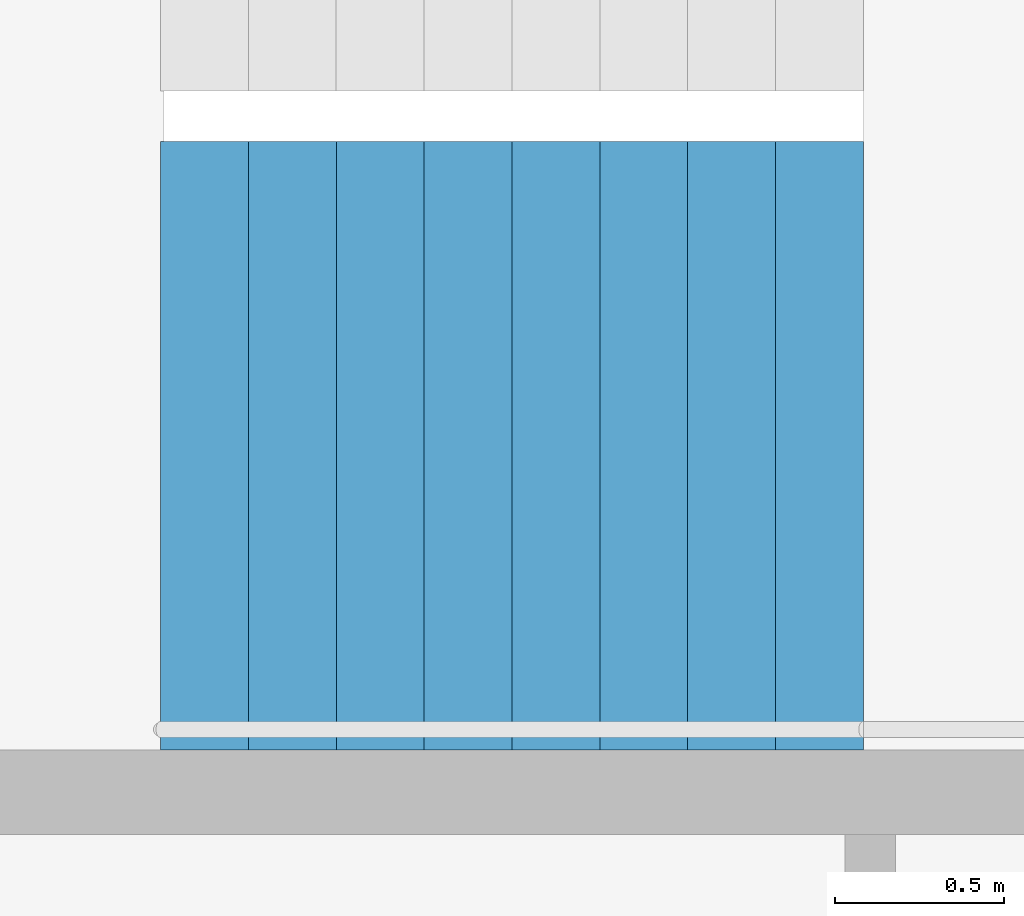
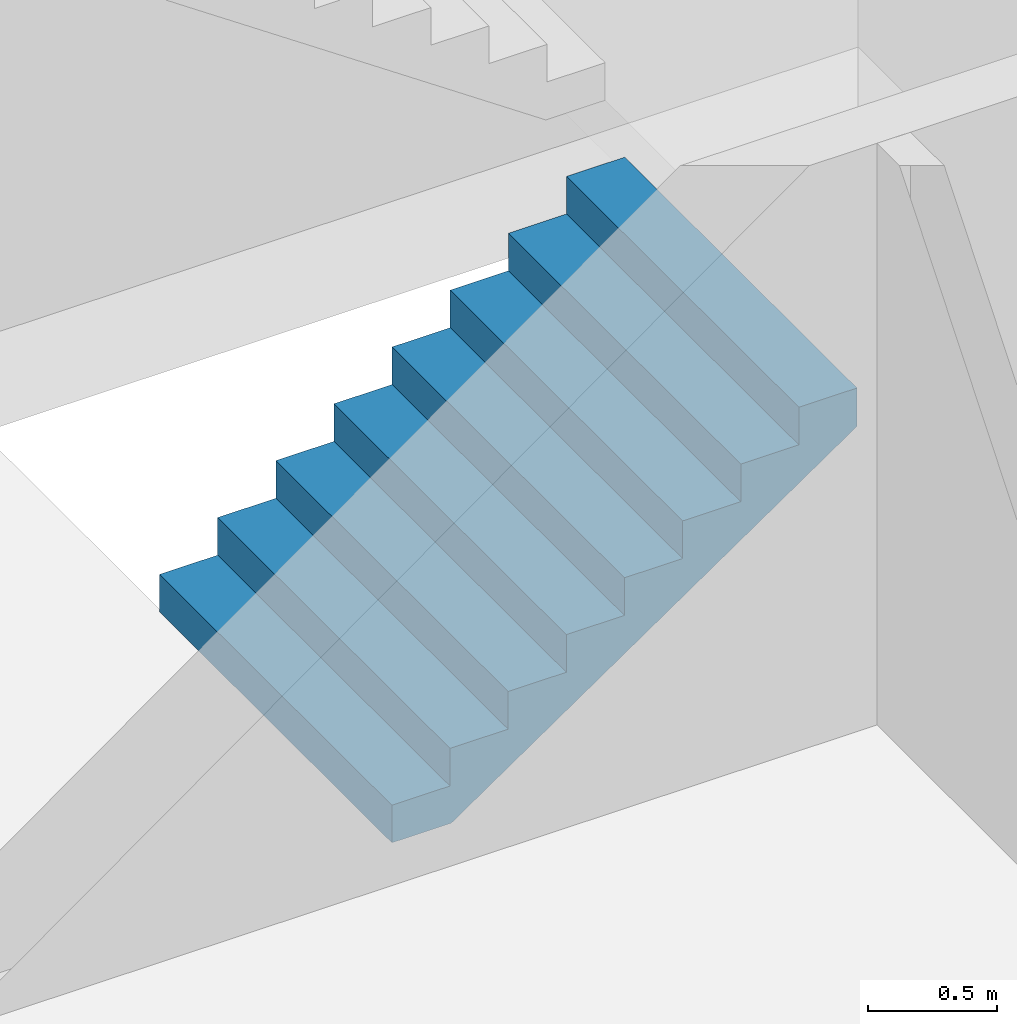
# One storey, part 20 of 26: 1 stair flight, 1 element without a shape of its own.
"""IFC4 building model written with IfcOpenShell, lengths in metres."""

from ifc_helpers import new_model, si_unit, direction, frame, origin, place, context, subcontext, project, spatial, triangles, material, type_object, element, aggregate, save


model = new_model("IFC4")

# Units and contexts
model_context = context("Model", 3, precision=1e-05, world=origin(), true_north=direction((0.0, 1.0)))
body_context = subcontext(model_context, "Body", "Model", "MODEL_VIEW")
ifc_project = project(units=[si_unit("LENGTHUNIT", "METRE"), si_unit("AREAUNIT", "SQUARE_METRE"), si_unit("VOLUMEUNIT", "CUBIC_METRE"), si_unit("PLANEANGLEUNIT", "RADIAN"), si_unit("MASSUNIT", "GRAM", prefix="KILO")], contexts=[model_context])

# Site, building, storey
site_placement = place(None, origin())
site = spatial("IfcSite", under=ifc_project, at=site_placement, CompositionType="ELEMENT")
building_placement = place(site_placement, origin())
building = spatial("IfcBuilding", under=site, at=building_placement, Name="Hakoniwa Tower and Hamabe Station Hall", CompositionType="ELEMENT")
storey_placement = place(building_placement, frame((0.0, 0.0, 156.60009765625)))
storey = spatial("IfcBuildingStorey", under=building, at=storey_placement, Name="L44", CompositionType="ELEMENT", Elevation=156.60009765625)

# Stair, stair flight
ifc_material_1 = material(Name="Concrete C40", Category="concrete")
stair_type = type_object("IfcStairType", Name="ESCAPE STAIR 1800", PredefinedType="HALF_TURN_STAIR", material=ifc_material_1)
stair_placement = place(storey_placement, origin())
stair = element("IfcStair", 1, at=stair_placement, inside=storey, type_object=stair_type, Name="Escape stair ST-1 L44", PredefinedType="HALF_TURN_STAIR")
ifc_material_2 = material(Name="Concrete C40", Category="concrete")
stair_flight_type = type_object("IfcStairFlightType", Name="STAIR FLIGHT 1800", PredefinedType="STRAIGHT", material=ifc_material_2)
stair_flight_placement = place(storey_placement, frame((-24.39990234375, 4.64990234375, 0.0), z_axis=(0.0, 0.0, 1.0), x_axis=(1.0, 0.0, 0.0)))
stair_flight = element("IfcStairFlight", 2, at=stair_flight_placement, type_object=stair_flight_type, Name="ST-1 flight 1", NumberOfRisers=9, NumberOfTreads=8, PredefinedType="STRAIGHT", RiserHeight=0.177777778, TreadLength=0.26, context=body_context, shape_type="Tessellation", body=[
    triangles([(0.0, 0.89990234375, 0.0), (0.260009765625, 0.89990234375, 0.0), (0.265625, 0.89990234375, 0.0), (0.52001953125, 0.89990234375, 0.174072265625), (0.780029296875, 0.89990234375, 0.351806640625), (1.0400390625, 0.89990234375, 0.529541015625), (1.300048828125, 0.89990234375, 0.707275390625), (1.56005859375, 0.89990234375, 0.885009765625), (1.820068359375, 0.89990234375, 1.062744140625), (2.080078125, 0.89990234375, 1.24072265625), (2.080078125, 0.89990234375, 1.422119140625), (1.820068359375, 0.89990234375, 1.422119140625), (1.820068359375, 0.89990234375, 1.244384765625), (1.56005859375, 0.89990234375, 1.244384765625), (1.56005859375, 0.89990234375, 1.066650390625), (1.300048828125, 0.89990234375, 1.066650390625), (1.300048828125, 0.89990234375, 0.888916015625), (1.0400390625, 0.89990234375, 0.888916015625), (1.0400390625, 0.89990234375, 0.711181640625), (0.780029296875, 0.89990234375, 0.711181640625), (0.780029296875, 0.89990234375, 0.533447265625), (0.52001953125, 0.89990234375, 0.533447265625), (0.52001953125, 0.89990234375, 0.35546875), (0.265625, 0.89990234375, 0.35546875), (0.260009765625, 0.89990234375, 0.35546875), (0.260009765625, 0.89990234375, 0.177734375), (0.0, 0.89990234375, 0.177734375), (0.0, 0.06005859375, 0.0), (0.260009765625, 0.06005859375, 0.0), (0.265625, 0.06005859375, 0.0), (0.52001953125, 0.06005859375, 0.174072265625), (0.780029296875, 0.06005859375, 0.351806640625), (1.0400390625, 0.06005859375, 0.529541015625), (1.300048828125, 0.06005859375, 0.707275390625), (1.56005859375, 0.06005859375, 0.885009765625), (1.820068359375, 0.06005859375, 1.062744140625), (2.080078125, 0.06005859375, 1.24072265625), (2.080078125, 0.06005859375, 1.422119140625), (1.820068359375, 0.06005859375, 1.422119140625), (1.820068359375, 0.06005859375, 1.244384765625), (1.56005859375, 0.06005859375, 1.244384765625), (1.56005859375, 0.06005859375, 1.066650390625), (1.300048828125, 0.06005859375, 1.066650390625), (1.300048828125, 0.06005859375, 0.888916015625), (1.0400390625, 0.06005859375, 0.888916015625), (1.0400390625, 0.06005859375, 0.711181640625), (0.780029296875, 0.06005859375, 0.711181640625), (0.780029296875, 0.06005859375, 0.533447265625), (0.52001953125, 0.06005859375, 0.533447265625), (0.52001953125, 0.06005859375, 0.35546875), (0.265625, 0.06005859375, 0.35546875), (0.260009765625, 0.06005859375, 0.35546875), (0.260009765625, 0.06005859375, 0.177734375), (0.0, 0.06005859375, 0.177734375), (0.0, 0.04296875, 0.0), (0.260009765625, 0.04296875, 0.0), (0.265625, 0.04296875, 0.0), (0.52001953125, 0.04296875, 0.174072265625), (0.780029296875, 0.04296875, 0.351806640625), (1.0400390625, 0.04296875, 0.529541015625), (1.300048828125, 0.04296875, 0.707275390625), (1.56005859375, 0.04296875, 0.885009765625), (1.820068359375, 0.04296875, 1.062744140625), (2.080078125, 0.04296875, 1.24072265625), (2.080078125, 0.04296875, 1.422119140625), (1.820068359375, 0.04296875, 1.422119140625), (1.820068359375, 0.04296875, 1.244384765625), (1.56005859375, 0.04296875, 1.244384765625), (1.56005859375, 0.04296875, 1.066650390625), (1.300048828125, 0.04296875, 1.066650390625), (1.300048828125, 0.04296875, 0.888916015625), (1.0400390625, 0.04296875, 0.888916015625), (1.0400390625, 0.04296875, 0.711181640625), (0.780029296875, 0.04296875, 0.711181640625), (0.780029296875, 0.04296875, 0.533447265625), (0.52001953125, 0.04296875, 0.533447265625), (0.52001953125, 0.04296875, 0.35546875), (0.265625, 0.04296875, 0.35546875), (0.260009765625, 0.04296875, 0.35546875), (0.260009765625, 0.04296875, 0.177734375), (0.0, 0.04296875, 0.177734375), (0.0, 0.025634765625, 0.0), (0.260009765625, 0.025634765625, 0.0), (0.265625, 0.025634765625, 0.0), (0.52001953125, 0.025634765625, 0.174072265625), (0.780029296875, 0.025634765625, 0.351806640625), (1.0400390625, 0.025634765625, 0.529541015625), (1.300048828125, 0.025634765625, 0.707275390625), (1.56005859375, 0.025634765625, 0.885009765625), (1.820068359375, 0.025634765625, 1.062744140625), (2.080078125, 0.025634765625, 1.24072265625), (2.080078125, 0.025634765625, 1.422119140625), (1.820068359375, 0.025634765625, 1.422119140625), (1.820068359375, 0.025634765625, 1.244384765625), (1.56005859375, 0.025634765625, 1.244384765625), (1.56005859375, 0.025634765625, 1.066650390625), (1.300048828125, 0.025634765625, 1.066650390625), (1.300048828125, 0.025634765625, 0.888916015625), (1.0400390625, 0.025634765625, 0.888916015625), (1.0400390625, 0.025634765625, 0.711181640625), (0.780029296875, 0.025634765625, 0.711181640625), (0.780029296875, 0.025634765625, 0.533447265625), (0.52001953125, 0.025634765625, 0.533447265625), (0.52001953125, 0.025634765625, 0.35546875), (0.265625, 0.025634765625, 0.35546875), (0.260009765625, 0.025634765625, 0.35546875), (0.260009765625, 0.025634765625, 0.177734375), (0.0, 0.025634765625, 0.177734375), (0.0, 0.008544921875, 0.0), (0.260009765625, 0.008544921875, 0.0), (0.265625, 0.008544921875, 0.0), (0.52001953125, 0.008544921875, 0.174072265625), (0.780029296875, 0.008544921875, 0.351806640625), (1.0400390625, 0.008544921875, 0.529541015625), (1.300048828125, 0.008544921875, 0.707275390625), (1.56005859375, 0.008544921875, 0.885009765625), (1.820068359375, 0.008544921875, 1.062744140625), (2.080078125, 0.008544921875, 1.24072265625), (2.080078125, 0.008544921875, 1.422119140625), (1.820068359375, 0.008544921875, 1.422119140625), (1.820068359375, 0.008544921875, 1.244384765625), (1.56005859375, 0.008544921875, 1.244384765625), (1.56005859375, 0.008544921875, 1.066650390625), (1.300048828125, 0.008544921875, 1.066650390625), (1.300048828125, 0.008544921875, 0.888916015625), (1.0400390625, 0.008544921875, 0.888916015625), (1.0400390625, 0.008544921875, 0.711181640625), (0.780029296875, 0.008544921875, 0.711181640625), (0.780029296875, 0.008544921875, 0.533447265625), (0.52001953125, 0.008544921875, 0.533447265625), (0.52001953125, 0.008544921875, 0.35546875), (0.265625, 0.008544921875, 0.35546875), (0.260009765625, 0.008544921875, 0.35546875), (0.260009765625, 0.008544921875, 0.177734375), (0.0, 0.008544921875, 0.177734375), (0.0, -0.008544921875, 0.0), (0.260009765625, -0.008544921875, 0.0), (0.265625, -0.008544921875, 0.0), (0.52001953125, -0.008544921875, 0.174072265625), (0.780029296875, -0.008544921875, 0.351806640625), (1.0400390625, -0.008544921875, 0.529541015625), (1.300048828125, -0.008544921875, 0.707275390625), (1.56005859375, -0.008544921875, 0.885009765625), (1.820068359375, -0.008544921875, 1.062744140625), (2.080078125, -0.008544921875, 1.24072265625), (2.080078125, -0.008544921875, 1.422119140625), (1.820068359375, -0.008544921875, 1.422119140625), (1.820068359375, -0.008544921875, 1.244384765625), (1.56005859375, -0.008544921875, 1.244384765625), (1.56005859375, -0.008544921875, 1.066650390625), (1.300048828125, -0.008544921875, 1.066650390625), (1.300048828125, -0.008544921875, 0.888916015625), (1.0400390625, -0.008544921875, 0.888916015625), (1.0400390625, -0.008544921875, 0.711181640625), (0.780029296875, -0.008544921875, 0.711181640625), (0.780029296875, -0.008544921875, 0.533447265625), (0.52001953125, -0.008544921875, 0.533447265625), (0.52001953125, -0.008544921875, 0.35546875), (0.265625, -0.008544921875, 0.35546875), (0.260009765625, -0.008544921875, 0.35546875), (0.260009765625, -0.008544921875, 0.177734375), (0.0, -0.008544921875, 0.177734375), (0.0, -0.025634765625, 0.0), (0.260009765625, -0.025634765625, 0.0), (0.265625, -0.025634765625, 0.0), (0.52001953125, -0.025634765625, 0.174072265625), (0.780029296875, -0.025634765625, 0.351806640625), (1.0400390625, -0.025634765625, 0.529541015625), (1.300048828125, -0.025634765625, 0.707275390625), (1.56005859375, -0.025634765625, 0.885009765625), (1.820068359375, -0.025634765625, 1.062744140625), (2.080078125, -0.025634765625, 1.24072265625), (2.080078125, -0.025634765625, 1.422119140625), (1.820068359375, -0.025634765625, 1.422119140625), (1.820068359375, -0.025634765625, 1.244384765625), (1.56005859375, -0.025634765625, 1.244384765625), (1.56005859375, -0.025634765625, 1.066650390625), (1.300048828125, -0.025634765625, 1.066650390625), (1.300048828125, -0.025634765625, 0.888916015625), (1.0400390625, -0.025634765625, 0.888916015625), (1.0400390625, -0.025634765625, 0.711181640625), (0.780029296875, -0.025634765625, 0.711181640625), (0.780029296875, -0.025634765625, 0.533447265625), (0.52001953125, -0.025634765625, 0.533447265625), (0.52001953125, -0.025634765625, 0.35546875), (0.265625, -0.025634765625, 0.35546875), (0.260009765625, -0.025634765625, 0.35546875), (0.260009765625, -0.025634765625, 0.177734375), (0.0, -0.025634765625, 0.177734375), (0.0, -0.04296875, 0.0), (0.260009765625, -0.04296875, 0.0), (0.265625, -0.04296875, 0.0), (0.52001953125, -0.04296875, 0.174072265625), (0.780029296875, -0.04296875, 0.351806640625), (1.0400390625, -0.04296875, 0.529541015625), (1.300048828125, -0.04296875, 0.707275390625), (1.56005859375, -0.04296875, 0.885009765625), (1.820068359375, -0.04296875, 1.062744140625), (2.080078125, -0.04296875, 1.24072265625), (2.080078125, -0.04296875, 1.422119140625), (1.820068359375, -0.04296875, 1.422119140625), (1.820068359375, -0.04296875, 1.244384765625), (1.56005859375, -0.04296875, 1.244384765625), (1.56005859375, -0.04296875, 1.066650390625), (1.300048828125, -0.04296875, 1.066650390625), (1.300048828125, -0.04296875, 0.888916015625), (1.0400390625, -0.04296875, 0.888916015625), (1.0400390625, -0.04296875, 0.711181640625), (0.780029296875, -0.04296875, 0.711181640625), (0.780029296875, -0.04296875, 0.533447265625), (0.52001953125, -0.04296875, 0.533447265625), (0.52001953125, -0.04296875, 0.35546875), (0.265625, -0.04296875, 0.35546875), (0.260009765625, -0.04296875, 0.35546875), (0.260009765625, -0.04296875, 0.177734375), (0.0, -0.04296875, 0.177734375), (0.0, -0.06005859375, 0.0), (0.260009765625, -0.06005859375, 0.0), (0.265625, -0.06005859375, 0.0), (0.52001953125, -0.06005859375, 0.174072265625), (0.780029296875, -0.06005859375, 0.351806640625), (1.0400390625, -0.06005859375, 0.529541015625), (1.300048828125, -0.06005859375, 0.707275390625), (1.56005859375, -0.06005859375, 0.885009765625), (1.820068359375, -0.06005859375, 1.062744140625), (2.080078125, -0.06005859375, 1.24072265625), (2.080078125, -0.06005859375, 1.422119140625), (1.820068359375, -0.06005859375, 1.422119140625), (1.820068359375, -0.06005859375, 1.244384765625), (1.56005859375, -0.06005859375, 1.244384765625), (1.56005859375, -0.06005859375, 1.066650390625), (1.300048828125, -0.06005859375, 1.066650390625), (1.300048828125, -0.06005859375, 0.888916015625), (1.0400390625, -0.06005859375, 0.888916015625), (1.0400390625, -0.06005859375, 0.711181640625), (0.780029296875, -0.06005859375, 0.711181640625), (0.780029296875, -0.06005859375, 0.533447265625), (0.52001953125, -0.06005859375, 0.533447265625), (0.52001953125, -0.06005859375, 0.35546875), (0.265625, -0.06005859375, 0.35546875), (0.260009765625, -0.06005859375, 0.35546875), (0.260009765625, -0.06005859375, 0.177734375), (0.0, -0.06005859375, 0.177734375), (0.0, -0.89990234375, 0.0), (0.260009765625, -0.89990234375, 0.0), (0.265625, -0.89990234375, 0.0), (0.52001953125, -0.89990234375, 0.174072265625), (0.780029296875, -0.89990234375, 0.351806640625), (1.0400390625, -0.89990234375, 0.529541015625), (1.300048828125, -0.89990234375, 0.707275390625), (1.56005859375, -0.89990234375, 0.885009765625), (1.820068359375, -0.89990234375, 1.062744140625), (2.080078125, -0.89990234375, 1.24072265625), (2.080078125, -0.89990234375, 1.422119140625), (1.820068359375, -0.89990234375, 1.422119140625), (1.820068359375, -0.89990234375, 1.244384765625), (1.56005859375, -0.89990234375, 1.244384765625), (1.56005859375, -0.89990234375, 1.066650390625), (1.300048828125, -0.89990234375, 1.066650390625), (1.300048828125, -0.89990234375, 0.888916015625), (1.0400390625, -0.89990234375, 0.888916015625), (1.0400390625, -0.89990234375, 0.711181640625), (0.780029296875, -0.89990234375, 0.711181640625), (0.780029296875, -0.89990234375, 0.533447265625), (0.52001953125, -0.89990234375, 0.533447265625), (0.52001953125, -0.89990234375, 0.35546875), (0.265625, -0.89990234375, 0.35546875), (0.260009765625, -0.89990234375, 0.35546875), (0.260009765625, -0.89990234375, 0.177734375), (0.0, -0.89990234375, 0.177734375)], [[2, 27, 26], [245, 269, 270], [2, 1, 27], [245, 270, 244], [3, 25, 24], [246, 267, 268], [3, 26, 25], [246, 268, 269], [3, 2, 26], [246, 269, 245], [4, 24, 23], [247, 266, 267], [4, 3, 24], [247, 267, 246], [5, 22, 21], [248, 264, 265], [5, 23, 22], [248, 265, 266], [5, 4, 23], [248, 266, 247], [6, 20, 19], [249, 262, 263], [6, 21, 20], [249, 263, 264], [6, 5, 21], [249, 264, 248], [7, 18, 17], [250, 260, 261], [7, 19, 18], [250, 261, 262], [7, 6, 19], [250, 262, 249], [8, 16, 15], [251, 258, 259], [8, 17, 16], [251, 259, 260], [8, 7, 17], [251, 260, 250], [9, 14, 13], [252, 256, 257], [9, 15, 14], [252, 257, 258], [9, 8, 15], [252, 258, 251], [10, 12, 11], [253, 254, 255], [10, 13, 12], [253, 255, 256], [10, 9, 13], [253, 256, 252], [1, 2, 29], [1, 29, 28], [28, 29, 56], [28, 56, 55], [55, 56, 83], [55, 83, 82], [82, 83, 110], [82, 110, 109], [109, 110, 137], [109, 137, 136], [136, 137, 164], [136, 164, 163], [163, 164, 191], [163, 191, 190], [190, 191, 218], [190, 218, 217], [217, 218, 245], [217, 245, 244], [2, 3, 30], [2, 30, 29], [29, 30, 57], [29, 57, 56], [56, 57, 84], [56, 84, 83], [83, 84, 111], [83, 111, 110], [110, 111, 138], [110, 138, 137], [137, 138, 165], [137, 165, 164], [164, 165, 192], [164, 192, 191], [191, 192, 219], [191, 219, 218], [218, 219, 246], [218, 246, 245], [3, 4, 31], [3, 31, 30], [30, 31, 58], [30, 58, 57], [57, 58, 85], [57, 85, 84], [84, 85, 112], [84, 112, 111], [111, 112, 139], [111, 139, 138], [138, 139, 166], [138, 166, 165], [165, 166, 193], [165, 193, 192], [192, 193, 220], [192, 220, 219], [219, 220, 247], [219, 247, 246], [4, 5, 32], [4, 32, 31], [31, 32, 59], [31, 59, 58], [58, 59, 86], [58, 86, 85], [85, 86, 113], [85, 113, 112], [112, 113, 140], [112, 140, 139], [139, 140, 167], [139, 167, 166], [166, 167, 194], [166, 194, 193], [193, 194, 221], [193, 221, 220], [220, 221, 248], [220, 248, 247], [5, 6, 33], [5, 33, 32], [32, 33, 60], [32, 60, 59], [59, 60, 87], [59, 87, 86], [86, 87, 114], [86, 114, 113], [113, 114, 141], [113, 141, 140], [140, 141, 168], [140, 168, 167], [167, 168, 195], [167, 195, 194], [194, 195, 222], [194, 222, 221], [221, 222, 249], [221, 249, 248], [6, 7, 34], [6, 34, 33], [33, 34, 61], [33, 61, 60], [60, 61, 88], [60, 88, 87], [87, 88, 115], [87, 115, 114], [114, 115, 142], [114, 142, 141], [141, 142, 169], [141, 169, 168], [168, 169, 196], [168, 196, 195], [195, 196, 223], [195, 223, 222], [222, 223, 250], [222, 250, 249], [7, 8, 35], [7, 35, 34], [34, 35, 62], [34, 62, 61], [61, 62, 89], [61, 89, 88], [88, 89, 116], [88, 116, 115], [115, 116, 143], [115, 143, 142], [142, 143, 170], [142, 170, 169], [169, 170, 197], [169, 197, 196], [196, 197, 224], [196, 224, 223], [223, 224, 251], [223, 251, 250], [8, 9, 36], [8, 36, 35], [35, 36, 63], [35, 63, 62], [62, 63, 90], [62, 90, 89], [89, 90, 117], [89, 117, 116], [116, 117, 144], [116, 144, 143], [143, 144, 171], [143, 171, 170], [170, 171, 198], [170, 198, 197], [197, 198, 225], [197, 225, 224], [224, 225, 252], [224, 252, 251], [9, 10, 37], [9, 37, 36], [36, 37, 64], [36, 64, 63], [63, 64, 91], [63, 91, 90], [90, 91, 118], [90, 118, 117], [117, 118, 145], [117, 145, 144], [144, 145, 172], [144, 172, 171], [171, 172, 199], [171, 199, 198], [198, 199, 226], [198, 226, 225], [225, 226, 253], [225, 253, 252], [10, 11, 38], [10, 38, 37], [37, 38, 65], [37, 65, 64], [64, 65, 92], [64, 92, 91], [91, 92, 119], [91, 119, 118], [118, 119, 146], [118, 146, 145], [145, 146, 173], [145, 173, 172], [172, 173, 200], [172, 200, 199], [199, 200, 227], [199, 227, 226], [226, 227, 254], [226, 254, 253], [11, 12, 39], [11, 39, 38], [38, 39, 66], [38, 66, 65], [65, 66, 93], [65, 93, 92], [92, 93, 120], [92, 120, 119], [119, 120, 147], [119, 147, 146], [146, 147, 174], [146, 174, 173], [173, 174, 201], [173, 201, 200], [200, 201, 228], [200, 228, 227], [227, 228, 255], [227, 255, 254], [12, 13, 40], [12, 40, 39], [39, 40, 67], [39, 67, 66], [66, 67, 94], [66, 94, 93], [93, 94, 121], [93, 121, 120], [120, 121, 148], [120, 148, 147], [147, 148, 175], [147, 175, 174], [174, 175, 202], [174, 202, 201], [201, 202, 229], [201, 229, 228], [228, 229, 256], [228, 256, 255], [13, 14, 41], [13, 41, 40], [40, 41, 68], [40, 68, 67], [67, 68, 95], [67, 95, 94], [94, 95, 122], [94, 122, 121], [121, 122, 149], [121, 149, 148], [148, 149, 176], [148, 176, 175], [175, 176, 203], [175, 203, 202], [202, 203, 230], [202, 230, 229], [229, 230, 257], [229, 257, 256], [14, 15, 42], [14, 42, 41], [41, 42, 69], [41, 69, 68], [68, 69, 96], [68, 96, 95], [95, 96, 123], [95, 123, 122], [122, 123, 150], [122, 150, 149], [149, 150, 177], [149, 177, 176], [176, 177, 204], [176, 204, 203], [203, 204, 231], [203, 231, 230], [230, 231, 258], [230, 258, 257], [15, 16, 43], [15, 43, 42], [42, 43, 70], [42, 70, 69], [69, 70, 97], [69, 97, 96], [96, 97, 124], [96, 124, 123], [123, 124, 151], [123, 151, 150], [150, 151, 178], [150, 178, 177], [177, 178, 205], [177, 205, 204], [204, 205, 232], [204, 232, 231], [231, 232, 259], [231, 259, 258], [16, 17, 44], [16, 44, 43], [43, 44, 71], [43, 71, 70], [70, 71, 98], [70, 98, 97], [97, 98, 125], [97, 125, 124], [124, 125, 152], [124, 152, 151], [151, 152, 179], [151, 179, 178], [178, 179, 206], [178, 206, 205], [205, 206, 233], [205, 233, 232], [232, 233, 260], [232, 260, 259], [17, 18, 45], [17, 45, 44], [44, 45, 72], [44, 72, 71], [71, 72, 99], [71, 99, 98], [98, 99, 126], [98, 126, 125], [125, 126, 153], [125, 153, 152], [152, 153, 180], [152, 180, 179], [179, 180, 207], [179, 207, 206], [206, 207, 234], [206, 234, 233], [233, 234, 261], [233, 261, 260], [18, 19, 46], [18, 46, 45], [45, 46, 73], [45, 73, 72], [72, 73, 100], [72, 100, 99], [99, 100, 127], [99, 127, 126], [126, 127, 154], [126, 154, 153], [153, 154, 181], [153, 181, 180], [180, 181, 208], [180, 208, 207], [207, 208, 235], [207, 235, 234], [234, 235, 262], [234, 262, 261], [19, 20, 47], [19, 47, 46], [46, 47, 74], [46, 74, 73], [73, 74, 101], [73, 101, 100], [100, 101, 128], [100, 128, 127], [127, 128, 155], [127, 155, 154], [154, 155, 182], [154, 182, 181], [181, 182, 209], [181, 209, 208], [208, 209, 236], [208, 236, 235], [235, 236, 263], [235, 263, 262], [20, 21, 48], [20, 48, 47], [47, 48, 75], [47, 75, 74], [74, 75, 102], [74, 102, 101], [101, 102, 129], [101, 129, 128], [128, 129, 156], [128, 156, 155], [155, 156, 183], [155, 183, 182], [182, 183, 210], [182, 210, 209], [209, 210, 237], [209, 237, 236], [236, 237, 264], [236, 264, 263], [21, 22, 49], [21, 49, 48], [48, 49, 76], [48, 76, 75], [75, 76, 103], [75, 103, 102], [102, 103, 130], [102, 130, 129], [129, 130, 157], [129, 157, 156], [156, 157, 184], [156, 184, 183], [183, 184, 211], [183, 211, 210], [210, 211, 238], [210, 238, 237], [237, 238, 265], [237, 265, 264], [22, 23, 50], [22, 50, 49], [49, 50, 77], [49, 77, 76], [76, 77, 104], [76, 104, 103], [103, 104, 131], [103, 131, 130], [130, 131, 158], [130, 158, 157], [157, 158, 185], [157, 185, 184], [184, 185, 212], [184, 212, 211], [211, 212, 239], [211, 239, 238], [238, 239, 266], [238, 266, 265], [23, 24, 51], [23, 51, 50], [50, 51, 78], [50, 78, 77], [77, 78, 105], [77, 105, 104], [104, 105, 132], [104, 132, 131], [131, 132, 159], [131, 159, 158], [158, 159, 186], [158, 186, 185], [185, 186, 213], [185, 213, 212], [212, 213, 240], [212, 240, 239], [239, 240, 267], [239, 267, 266], [24, 25, 52], [24, 52, 51], [51, 52, 79], [51, 79, 78], [78, 79, 106], [78, 106, 105], [105, 106, 133], [105, 133, 132], [132, 133, 160], [132, 160, 159], [159, 160, 187], [159, 187, 186], [186, 187, 214], [186, 214, 213], [213, 214, 241], [213, 241, 240], [240, 241, 268], [240, 268, 267], [25, 26, 53], [25, 53, 52], [52, 53, 80], [52, 80, 79], [79, 80, 107], [79, 107, 106], [106, 107, 134], [106, 134, 133], [133, 134, 161], [133, 161, 160], [160, 161, 188], [160, 188, 187], [187, 188, 215], [187, 215, 214], [214, 215, 242], [214, 242, 241], [241, 242, 269], [241, 269, 268], [26, 27, 54], [26, 54, 53], [53, 54, 81], [53, 81, 80], [80, 81, 108], [80, 108, 107], [107, 108, 135], [107, 135, 134], [134, 135, 162], [134, 162, 161], [161, 162, 189], [161, 189, 188], [188, 189, 216], [188, 216, 215], [215, 216, 243], [215, 243, 242], [242, 243, 270], [242, 270, 269], [27, 1, 28], [27, 28, 54], [54, 28, 55], [54, 55, 81], [81, 55, 82], [81, 82, 108], [108, 82, 109], [108, 109, 135], [135, 109, 136], [135, 136, 162], [162, 136, 163], [162, 163, 189], [189, 163, 190], [189, 190, 216], [216, 190, 217], [216, 217, 243], [243, 217, 244], [243, 244, 270]], closed=True),
])
aggregate(stair, [stair_flight])

save(model, "model.ifc")
